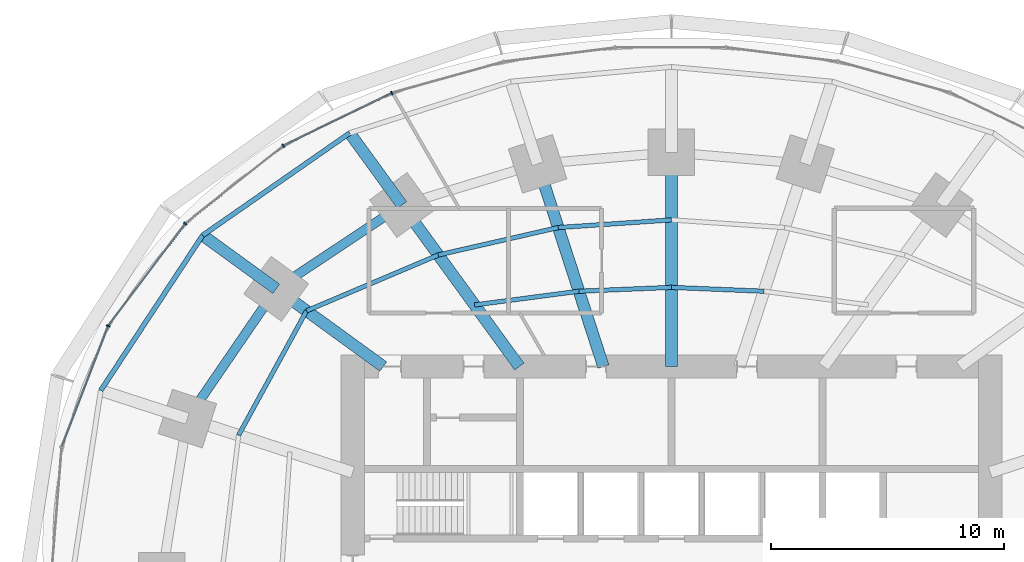
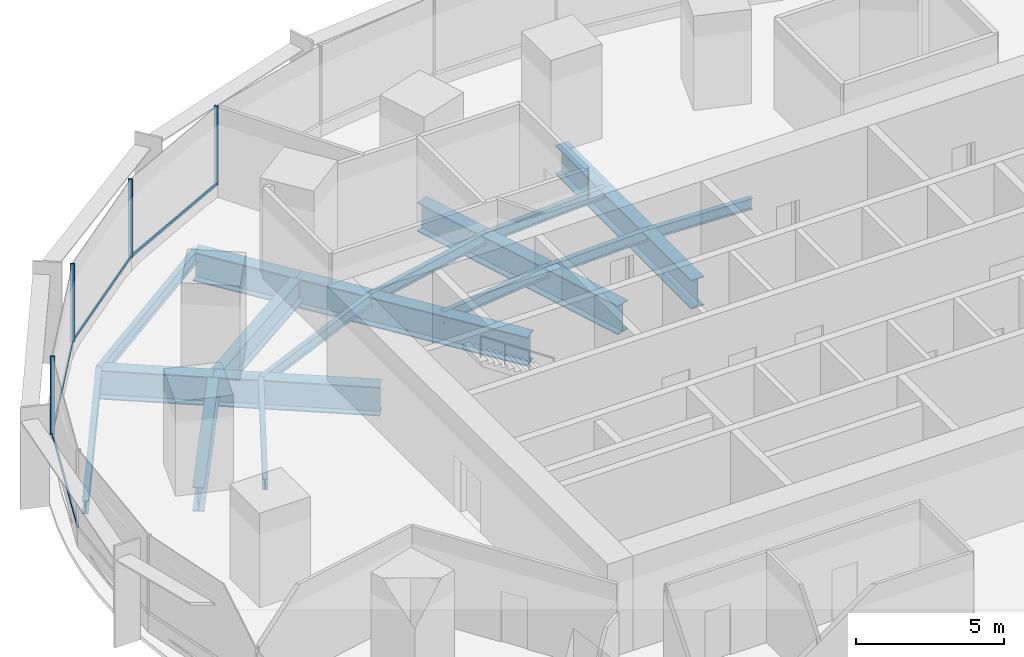
# One storey, part 7 of 15: 17 beams, 8 members, 1 element without a shape of its own.
"""IFC4 building model written with IfcOpenShell, lengths in metres."""

from ifc_helpers import new_model, si_unit, direction, frame, origin, origin_2d, place, context, subcontext, project, spatial, rectangle, i_section, extrude, material, material_profile, profile_set, type_object, element, aggregate, save


model = new_model("IFC4")

# Units and contexts
model_context = context("Model", 3, precision=1e-05, world=origin(), true_north=direction((0.0, 1.0)))
body_context = subcontext(model_context, "Body", "Model", "MODEL_VIEW")
ifc_project = project(units=[si_unit("LENGTHUNIT", "METRE"), si_unit("AREAUNIT", "SQUARE_METRE"), si_unit("VOLUMEUNIT", "CUBIC_METRE"), si_unit("PLANEANGLEUNIT", "RADIAN"), si_unit("MASSUNIT", "GRAM", prefix="KILO")], contexts=[model_context])

# Site, building, storey
site_placement = place(None, origin())
site = spatial("IfcSite", under=ifc_project, at=site_placement, CompositionType="ELEMENT")
building_placement = place(site_placement, origin())
building = spatial("IfcBuilding", under=site, at=building_placement, Name="Marramba Exchange Tower", CompositionType="ELEMENT")
storey_placement = place(building_placement, frame((0.0, 0.0, 23.800048828125)))
storey = spatial("IfcBuildingStorey", under=building, at=storey_placement, Name="L05", CompositionType="ELEMENT", Elevation=23.800048828125)

# Beams
ifc_material_1 = material(Name="Steel AS/NZS 3679.2 grade 300", Category="steel")
ifc_material_profile_1 = material_profile(ifc_material_1, i_section(OverallWidth=0.5, OverallDepth=1.199951171875, WebThickness=0.01611328125, FlangeThickness=0.0400390625, at=origin_2d()), Name="1200WB455")
ifc_profile_set_1 = profile_set([ifc_material_profile_1], Name="Steel AS/NZS 3679.2 grade 300")
beam_type_1 = type_object("IfcBeamType", Name="Cantilever girder 1200WB455", PredefinedType="BEAM", material=ifc_profile_set_1)
beam_1_placement = place(storey_placement, frame((-11.581298828125, 15.9404296875, -0.760009765625), z_axis=(-0.587795827483, 0.809009310944, 0.0), x_axis=(-0.809009310944, -0.587795827483, 0.0)))
element("IfcBeam", 1, at=beam_1_placement, inside=storey, type_object=beam_type_1, Name="Cantilever girder L05 TC08", PredefinedType="BEAM", context=body_context, shape_type="SweptSolid", body=[
    extrude(i_section(OverallWidth=0.5, OverallDepth=1.199951171875, WebThickness=0.01611328125, FlangeThickness=0.0400390625, at=origin_2d()), origin(), (0.0, 0.0, 1.0), 3.82421875),
])
beam_2_placement = place(storey_placement, frame((-16.98583984375, 12.3408203125, -0.760009765625), z_axis=(-0.808987260856, 0.587826174793, 0.0), x_axis=(-0.587826174793, -0.808987260856, 0.0)))
element("IfcBeam", 2, at=beam_2_placement, inside=storey, type_object=beam_type_1, Name="Cantilever girder L05 TC09", PredefinedType="BEAM", context=body_context, shape_type="SweptSolid", body=[
    extrude(i_section(OverallWidth=0.5, OverallDepth=1.199951171875, WebThickness=0.01611328125, FlangeThickness=0.0400390625, at=origin_2d()), origin(), (0.0, 0.0, 1.0), 3.90771484375),
])
ifc_material_2 = material(Name="Steel AS/NZS 3679.1 grade 300", Category="steel")
ifc_material_profile_2 = material_profile(ifc_material_2, i_section(OverallWidth=0.18994140625, OverallDepth=0.4541015625, WebThickness=0.008544921875, FlangeThickness=0.0126953125, FilletRadius=0.011474609375, at=origin_2d()), Name="460UB67.1")
ifc_profile_set_2 = profile_set([ifc_material_profile_2], Name="Steel AS/NZS 3679.1 grade 300")
beam_type_2 = type_object("IfcBeamType", Name="Floor joist 460UB67.1", PredefinedType="JOIST", material=ifc_profile_set_2)
for number, where, z_axis, x_axis, name in (
    (3, (3.975830078125, 12.236083984375, -0.386962890625), (-0.999137002892, 0.041536122257, 0.0), (-0.041536122257, -0.999137002892, 0.0), "Joist L05 bay 05 row 1"),
    (4, (0.0, 12.4013671875, -0.386962890625), (-0.999137002892, -0.041536122257, 0.0), (0.041536122257, -0.999137002892, 0.0), "Joist L05 bay 06 row 1"),
):
    element("IfcBeam", number, at=place(storey_placement, frame(where, z_axis=z_axis, x_axis=x_axis)), inside=storey, type_object=beam_type_2, Name=name, PredefinedType="JOIST", context=body_context, shape_type="SweptSolid", body=[
        extrude(i_section(OverallWidth=0.18994140625, OverallDepth=0.4541015625, WebThickness=0.008544921875, FlangeThickness=0.0126953125, FilletRadius=0.011474609375, at=origin_2d()), origin(), (0.0, 0.0, 1.0), 3.979248046875),
    ])
beam_3_placement = place(storey_placement, frame((0.0, 15.302734375, -0.386962890625), z_axis=(-0.997702652202, -0.067745241816, 0.0), x_axis=(0.067745241816, -0.997702652202, 0.0)))
element("IfcBeam", 5, at=beam_3_placement, inside=storey, type_object=beam_type_2, Name="Joist L05 bay 06 row 2", PredefinedType="JOIST", context=body_context, shape_type="SweptSolid", body=[
    extrude(i_section(OverallWidth=0.18994140625, OverallDepth=0.4541015625, WebThickness=0.008544921875, FlangeThickness=0.0126953125, FilletRadius=0.011474609375, at=origin_2d()), origin(), (0.0, 0.0, 1.0), 4.8759765625),
])
beam_4_placement = place(storey_placement, frame((-3.975830078125, 12.236083984375, -0.386962890625), z_axis=(-0.991480538255, -0.130254912618, 0.0), x_axis=(0.130254912618, -0.991480538255, 0.0)))
element("IfcBeam", 6, at=beam_4_placement, inside=storey, type_object=beam_type_2, Name="Joist L05 bay 07 row 1", PredefinedType="JOIST", context=body_context, shape_type="SweptSolid", body=[
    extrude(i_section(OverallWidth=0.18994140625, OverallDepth=0.4541015625, WebThickness=0.008544921875, FlangeThickness=0.0126953125, FilletRadius=0.011474609375, at=origin_2d()), origin(), (0.0, 0.0, 1.0), 4.524658203125),
])
beam_5_placement = place(storey_placement, frame((-4.86474609375, 14.972412109375, -0.386962890625), z_axis=(-0.974859652292, -0.222819788916, 0.0), x_axis=(0.222819788916, -0.974859652292, 0.0)))
element("IfcBeam", 7, at=beam_5_placement, inside=storey, type_object=beam_type_2, Name="Joist L05 bay 07 row 2", PredefinedType="JOIST", context=body_context, shape_type="SweptSolid", body=[
    extrude(i_section(OverallWidth=0.18994140625, OverallDepth=0.4541015625, WebThickness=0.008544921875, FlangeThickness=0.0126953125, FilletRadius=0.011474609375, at=origin_2d()), origin(), (0.0, 0.0, 1.0), 5.2900390625),
])
beam_6_placement = place(storey_placement, frame((-10.021728515625, 13.793701171875, -0.386962890625), z_axis=(-0.920674336375, -0.390331610738, 0.0), x_axis=(0.390331610738, -0.920674336375, 0.0)))
element("IfcBeam", 8, at=beam_6_placement, inside=storey, type_object=beam_type_2, Name="Joist L05 bay 08 row 2", PredefinedType="JOIST", context=body_context, shape_type="SweptSolid", body=[
    extrude(i_section(OverallWidth=0.18994140625, OverallDepth=0.4541015625, WebThickness=0.008544921875, FlangeThickness=0.0126953125, FilletRadius=0.011474609375, at=origin_2d()), origin(), (0.0, 0.0, 1.0), 6.1484375),
])
beam_7_placement = place(storey_placement, frame((-15.682373046875, 11.393798828125, -0.386962890625), z_axis=(-0.479584443791, -0.877495732909, 0.0), x_axis=(0.877495732909, -0.479584443791, 0.0)))
element("IfcBeam", 9, at=beam_7_placement, inside=storey, type_object=beam_type_2, Name="Joist L05 bay 09 row 2", PredefinedType="JOIST", context=body_context, shape_type="SweptSolid", body=[
    extrude(i_section(OverallWidth=0.18994140625, OverallDepth=0.4541015625, WebThickness=0.008544921875, FlangeThickness=0.0126953125, FilletRadius=0.011474609375, at=origin_2d()), origin(), (0.0, 0.0, 1.0), 6.094970703125),
])
ifc_material_profile_3 = material_profile(ifc_material_1, i_section(OverallWidth=0.5, OverallDepth=1.199951171875, WebThickness=0.01611328125, FlangeThickness=0.0400390625, at=origin_2d()), Name="1200WB455")
ifc_profile_set_3 = profile_set([ifc_material_profile_3], Name="Steel AS/NZS 3679.2 grade 300")
beam_type_3 = type_object("IfcBeamType", Name="Radial girder 1200WB455", PredefinedType="BEAM", material=ifc_profile_set_3)
beam_8_placement = place(storey_placement, frame((0.0, 9.0, -0.760009765625), z_axis=(0.0, 1.0, 0.0), x_axis=(-1.0, 0.0, 0.0)))
element("IfcBeam", 10, at=beam_8_placement, inside=storey, type_object=beam_type_3, Name="Radial girder L05 TC06", PredefinedType="BEAM", context=body_context, shape_type="SweptSolid", body=[
    extrude(i_section(OverallWidth=0.5, OverallDepth=1.199951171875, WebThickness=0.01611328125, FlangeThickness=0.0400390625, at=origin_2d()), origin(), (0.0, 0.0, 1.0), 9.2041015625),
])
beam_9_placement = place(storey_placement, frame((-2.92431640625, 9.0, -0.760009765625), z_axis=(-0.309019754162, 0.951055619582, 0.0), x_axis=(-0.951055619582, -0.309019754162, 0.0)))
element("IfcBeam", 11, at=beam_9_placement, inside=storey, type_object=beam_type_3, Name="Radial girder L05 TC07", PredefinedType="BEAM", context=body_context, shape_type="SweptSolid", body=[
    extrude(i_section(OverallWidth=0.5, OverallDepth=1.199951171875, WebThickness=0.01611328125, FlangeThickness=0.0400390625, at=origin_2d()), origin(), (0.0, 0.0, 1.0), 9.15673828125),
])
beam_10_placement = place(storey_placement, frame((-6.538818359375, 9.0, -0.760009765625), z_axis=(-0.587782439969, 0.80901903764, 0.0), x_axis=(-0.80901903764, -0.587782439969, 0.0)))
element("IfcBeam", 12, at=beam_10_placement, inside=storey, type_object=beam_type_3, Name="Radial girder L05 TC08", PredefinedType="BEAM", context=body_context, shape_type="SweptSolid", body=[
    extrude(i_section(OverallWidth=0.5, OverallDepth=1.199951171875, WebThickness=0.01611328125, FlangeThickness=0.0400390625, at=origin_2d()), origin(), (0.0, 0.0, 1.0), 8.578857421875),
])
beam_11_placement = place(storey_placement, frame((-12.387451171875, 9.0, -0.760009765625), z_axis=(-0.809025746925, 0.587773205252, 0.0), x_axis=(-0.587773205252, -0.809025746925, 0.0)))
element("IfcBeam", 13, at=beam_11_placement, inside=storey, type_object=beam_type_3, Name="Radial girder L05 TC09", PredefinedType="BEAM", context=body_context, shape_type="SweptSolid", body=[
    extrude(i_section(OverallWidth=0.5, OverallDepth=1.199951171875, WebThickness=0.01611328125, FlangeThickness=0.0400390625, at=origin_2d()), origin(), (0.0, 0.0, 1.0), 5.683837890625),
])
ifc_material_profile_4 = material_profile(ifc_material_1, i_section(OverallWidth=0.39990234375, OverallDepth=1.0, WebThickness=0.01611328125, FlangeThickness=0.031982421875, at=origin_2d()), Name="1000WB322")
ifc_profile_set_4 = profile_set([ifc_material_profile_4], Name="Steel AS/NZS 3679.2 grade 300")
beam_type_4 = type_object("IfcBeamType", Name="Ring beam 1000WB322", PredefinedType="SPANDREL", material=ifc_profile_set_4)
beam_12_placement = place(storey_placement, frame((-11.581298828125, 15.9404296875, -0.66015625), z_axis=(-0.832293151443, -0.554335737673, 0.0), x_axis=(0.554335737673, -0.832293151443, 0.0)))
element("IfcBeam", 14, at=beam_12_placement, inside=storey, type_object=beam_type_4, Name="Ring beam L05 TC08-TC09", PredefinedType="SPANDREL", context=body_context, shape_type="SweptSolid", body=[
    extrude(i_section(OverallWidth=0.39990234375, OverallDepth=1.0, WebThickness=0.01611328125, FlangeThickness=0.031982421875, at=origin_2d()), origin(), (0.0, 0.0, 1.0), 6.49365234375),
])
beam_13_placement = place(storey_placement, frame((-16.98583984375, 12.3408203125, -0.66015625), z_axis=(-0.56516002054, -0.824981303535, 0.0), x_axis=(0.824981303535, -0.56516002054, 0.0)))
element("IfcBeam", 15, at=beam_13_placement, inside=storey, type_object=beam_type_4, Name="Ring beam L05 TC09-TC10", PredefinedType="SPANDREL", context=body_context, shape_type="SweptSolid", body=[
    extrude(i_section(OverallWidth=0.39990234375, OverallDepth=1.0, WebThickness=0.01611328125, FlangeThickness=0.031982421875, at=origin_2d()), origin(), (0.0, 0.0, 1.0), 6.763671875),
])
ifc_material_profile_5 = material_profile(ifc_material_2, i_section(OverallWidth=0.208984375, OverallDepth=0.528076171875, WebThickness=0.009521484375, FlangeThickness=0.01318359375, FilletRadius=0.013916015625, at=origin_2d()), Name="530UB82.0")
ifc_profile_set_5 = profile_set([ifc_material_profile_5], Name="Steel AS/NZS 3679.1 grade 300")
beam_type_5 = type_object("IfcBeamType", Name="Slab edge beam 530UB82.0", PredefinedType="SPANDREL", material=ifc_profile_set_5)
beam_14_placement = place(storey_placement, frame((-13.8291015625, 19.0341796875, -0.424072265625), z_axis=(-0.820842487183, -0.571154629882, 0.0), x_axis=(0.571154629882, -0.820842487183, 0.0)))
element("IfcBeam", 16, at=beam_14_placement, inside=storey, type_object=beam_type_5, Name="Slab edge beam L05 TC08-TC09", PredefinedType="SPANDREL", context=body_context, shape_type="SweptSolid", body=[
    extrude(i_section(OverallWidth=0.208984375, OverallDepth=0.528076171875, WebThickness=0.009521484375, FlangeThickness=0.01318359375, FilletRadius=0.013916015625, at=origin_2d()), origin(), (0.0, 0.0, 1.0), 7.697021484375),
])
beam_15_placement = place(storey_placement, frame((-20.147216796875, 14.637939453125, -0.424072265625), z_axis=(-0.549123544095, -0.835741188001, 0.0), x_axis=(0.835741188001, -0.549123544095, 0.0)))
element("IfcBeam", 17, at=beam_15_placement, inside=storey, type_object=beam_type_5, Name="Slab edge beam L05 TC09-TC10", PredefinedType="SPANDREL", context=body_context, shape_type="SweptSolid", body=[
    extrude(i_section(OverallWidth=0.208984375, OverallDepth=0.528076171875, WebThickness=0.009521484375, FlangeThickness=0.01318359375, FilletRadius=0.013916015625, at=origin_2d()), origin(), (0.0, 0.0, 1.0), 7.978759765625),
])

# Curtain wall, members
ifc_material_3 = material(Name="Aluminium framing, bronze anodised", Category="aluminium")
curtain_wall_type = type_object("IfcCurtainWallType", Name="Trading floor ribbon curtain wall", PredefinedType="USERDEFINED", material=ifc_material_3)
curtain_wall_placement = place(storey_placement, origin())
curtain_wall = element("IfcCurtainWall", 18, at=curtain_wall_placement, inside=storey, type_object=curtain_wall_type, Name="Curtain wall CW3 L05 F11-F15", ObjectType="RIBBON CURTAIN WALL", PredefinedType="USERDEFINED")
ifc_material_4 = material(Name="Aluminium mullion, bronze anodised", Category="aluminium")
ifc_material_profile_6 = material_profile(ifc_material_4, rectangle(XDim=0.159912109375, YDim=0.06005859375, at=origin_2d()), Name="CW3 mullion 60x160")
ifc_profile_set_6 = profile_set([ifc_material_profile_6], Name="Aluminium mullion, bronze anodised")
member_type_1 = type_object("IfcMemberType", Name="Trading floor ribbon curtain wall mullion", PredefinedType="MULLION", material=ifc_profile_set_6)
member_1_placement = place(storey_placement, frame((-12.016357421875, 20.7529296875, 0.800048828125), z_axis=(0.0, 0.0, 1.0), x_axis=(0.43596538664, -0.899963433508, 0.0)))
member_1 = element("IfcMember", 19, at=member_1_placement, type_object=member_type_1, Name="CW3 mullion 1", PredefinedType="MULLION", context=body_context, shape_type="SweptSolid", body=[
    extrude(rectangle(XDim=0.159912109375, YDim=0.06005859375, at=origin_2d()), origin(), (0.0, 0.0, 1.0), 3.239990234375),
])
member_2_placement = place(storey_placement, frame((-16.683837890625, 18.484619140625, 0.800048828125), z_axis=(0.0, 0.0, 1.0), x_axis=(0.620649730166, -0.784087949432, 0.0)))
member_2 = element("IfcMember", 20, at=member_2_placement, type_object=member_type_1, Name="CW3 mullion 1", PredefinedType="MULLION", context=body_context, shape_type="SweptSolid", body=[
    extrude(rectangle(XDim=0.159912109375, YDim=0.06005859375, at=origin_2d()), origin(), (0.0, 0.0, 1.0), 3.239990234375),
])
member_3_placement = place(storey_placement, frame((-20.8935546875, 15.142822265625, 0.800048828125), z_axis=(0.0, 0.0, 1.0), x_axis=(0.797748922445, -0.602989765036, 0.0)))
member_3 = element("IfcMember", 21, at=member_3_placement, type_object=member_type_1, Name="CW3 mullion 1", PredefinedType="MULLION", context=body_context, shape_type="SweptSolid", body=[
    extrude(rectangle(XDim=0.159912109375, YDim=0.06005859375, at=origin_2d()), origin(), (0.0, 0.0, 1.0), 3.239990234375),
])
member_4_placement = place(storey_placement, frame((-24.207275390625, 10.7451171875, 0.800048828125), z_axis=(0.0, 0.0, 1.0), x_axis=(0.933135256626, -0.359525510698, 0.0)))
member_4 = element("IfcMember", 22, at=member_4_placement, type_object=member_type_1, Name="CW3 mullion 1", PredefinedType="MULLION", context=body_context, shape_type="SweptSolid", body=[
    extrude(rectangle(XDim=0.159912109375, YDim=0.06005859375, at=origin_2d()), origin(), (0.0, 0.0, 1.0), 3.239990234375),
])
ifc_material_5 = material(Name="Aluminium transom, bronze anodised", Category="aluminium")
ifc_material_profile_7 = material_profile(ifc_material_5, rectangle(XDim=0.06005859375, YDim=0.1201171875, at=origin_2d()), Name="CW3 transom 60x120")
ifc_profile_set_7 = profile_set([ifc_material_profile_7], Name="Aluminium transom, bronze anodised")
member_type_2 = type_object("IfcMemberType", Name="Trading floor ribbon curtain wall transom", PredefinedType="USERDEFINED", material=ifc_profile_set_7)
member_5_placement = place(storey_placement, frame((-12.043212890625, 20.739990234375, 0.829833984375), z_axis=(-0.89995331781, -0.43598626786, 0.0), x_axis=(0.43598626786, -0.89995331781, 0.0)))
member_5 = element("IfcMember", 23, at=member_5_placement, type_object=member_type_2, Name="CW3 sill transom", ObjectType="TRANSOM", PredefinedType="USERDEFINED", context=body_context, shape_type="SweptSolid", body=[
    extrude(rectangle(XDim=0.06005859375, YDim=0.1201171875, at=origin_2d()), origin(), (0.0, 0.0, 1.0), 5.13037109375),
])
member_6_placement = place(storey_placement, frame((-16.70751953125, 18.466064453125, 0.829833984375), z_axis=(-0.784075625018, -0.620665299701, 0.0), x_axis=(0.620665299701, -0.784075625018, 0.0)))
member_6 = element("IfcMember", 24, at=member_6_placement, type_object=member_type_2, Name="CW3 sill transom", ObjectType="TRANSOM", PredefinedType="USERDEFINED", context=body_context, shape_type="SweptSolid", body=[
    extrude(rectangle(XDim=0.06005859375, YDim=0.1201171875, at=origin_2d()), origin(), (0.0, 0.0, 1.0), 5.315673828125),
])
member_7_placement = place(storey_placement, frame((-20.91162109375, 15.118896484375, 0.829833984375), z_axis=(-0.602985866158, -0.797751869452, 0.0), x_axis=(0.797751869452, -0.602985866158, 0.0)))
member_7 = element("IfcMember", 25, at=member_7_placement, type_object=member_type_2, Name="CW3 sill transom", ObjectType="TRANSOM", PredefinedType="USERDEFINED", context=body_context, shape_type="SweptSolid", body=[
    extrude(rectangle(XDim=0.06005859375, YDim=0.1201171875, at=origin_2d()), origin(), (0.0, 0.0, 1.0), 5.44775390625),
])
member_8_placement = place(storey_placement, frame((-24.218017578125, 10.717041015625, 0.829833984375), z_axis=(-0.359533581349, -0.933132147063, 0.0), x_axis=(0.933132147063, -0.359533581349, 0.0)))
member_8 = element("IfcMember", 26, at=member_8_placement, type_object=member_type_2, Name="CW3 sill transom", ObjectType="TRANSOM", PredefinedType="USERDEFINED", context=body_context, shape_type="SweptSolid", body=[
    extrude(rectangle(XDim=0.06005859375, YDim=0.1201171875, at=origin_2d()), origin(), (0.0, 0.0, 1.0), 5.5166015625),
])
aggregate(curtain_wall, [member_1, member_5, member_2, member_6, member_3, member_7, member_4, member_8])

save(model, "model.ifc")
